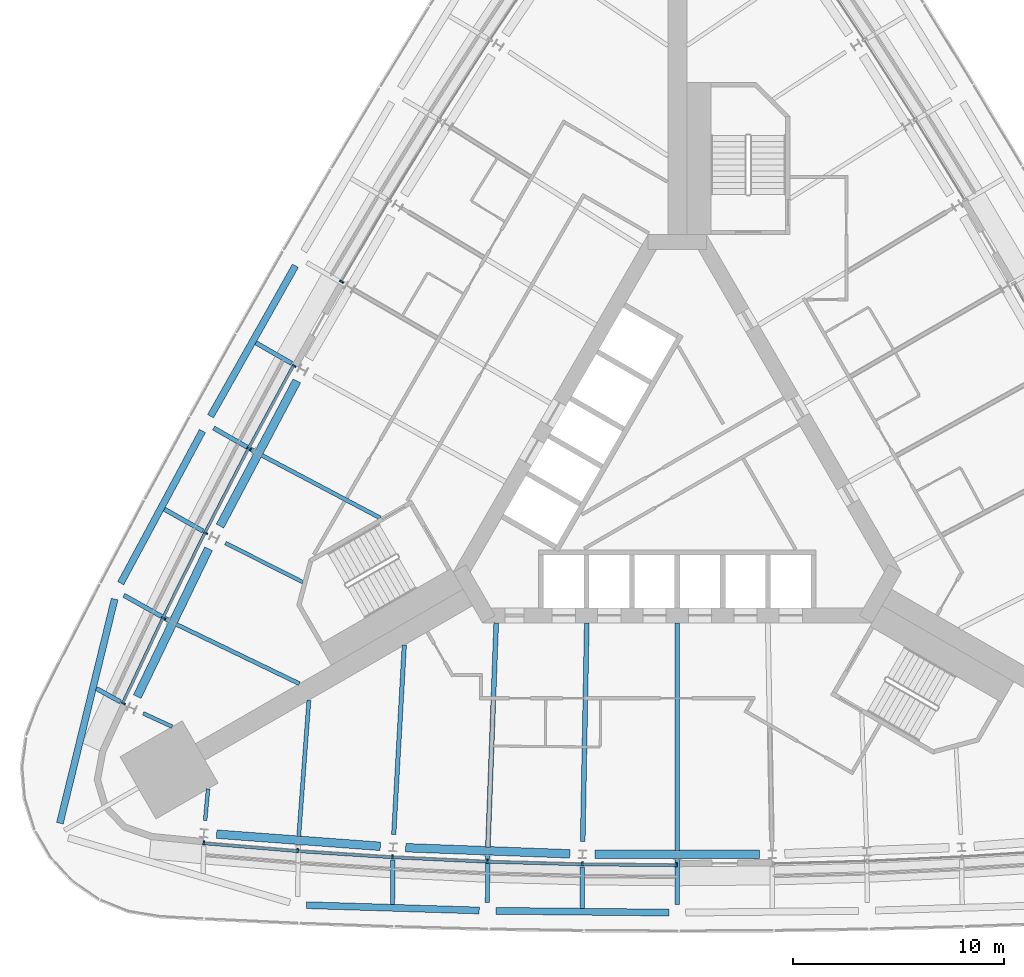
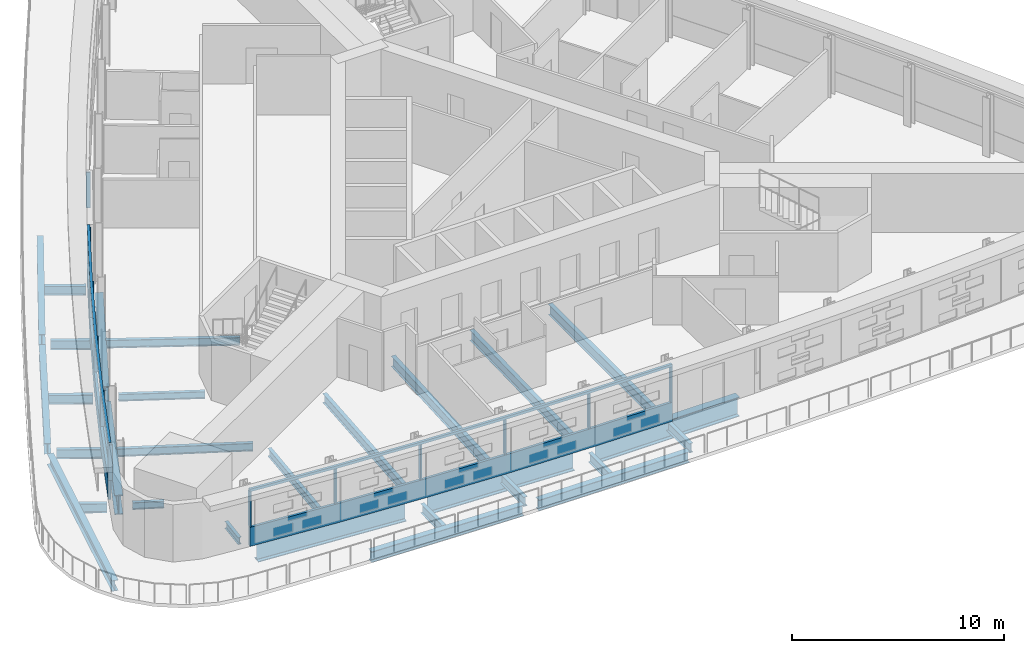
# One storey, part 2 of 14: 29 beams, 16 members, 3 elements without a shape of their own.
"""IFC4 building model written with IfcOpenShell, lengths in metres."""

from ifc_helpers import new_model, si_unit, direction, frame, origin, origin_2d, place, context, subcontext, project, spatial, polyline, rectangle, i_section, outline, extrude, material, material_profile, profile_set, type_object, element, aggregate, save


model = new_model("IFC4")

# Units and contexts
model_context = context("Model", 3, precision=1e-05, world=origin(), true_north=direction((0.0, 1.0)))
body_context = subcontext(model_context, "Body", "Model", "MODEL_VIEW")
ifc_project = project(units=[si_unit("LENGTHUNIT", "METRE"), si_unit("AREAUNIT", "SQUARE_METRE"), si_unit("VOLUMEUNIT", "CUBIC_METRE"), si_unit("PLANEANGLEUNIT", "RADIAN"), si_unit("MASSUNIT", "GRAM", prefix="KILO")], contexts=[model_context])

# Site, building, storey
site_placement = place(None, origin())
site = spatial("IfcSite", under=ifc_project, at=site_placement, CompositionType="ELEMENT")
building_placement = place(site_placement, origin())
building = spatial("IfcBuilding", under=site, at=building_placement, Name="Noor Cloister Tower", CompositionType="ELEMENT")
storey_placement = place(building_placement, frame((0.0, 0.0, 24.0)))
storey = spatial("IfcBuildingStorey", under=building, at=storey_placement, Name="L05", CompositionType="ELEMENT", Elevation=24.0)

# Curtain wall, member
ifc_material_1 = material(Name="Aluminium 6063-T6 anodised", Category="aluminium")
curtain_wall_type = type_object("IfcCurtainWallType", Name="Ribbon curtain wall, lower tower CW1", PredefinedType="NOTDEFINED", material=ifc_material_1)
curtain_wall_1_placement = place(storey_placement, origin())
curtain_wall_1 = element("IfcCurtainWall", 1, at=curtain_wall_1_placement, inside=storey, type_object=curtain_wall_type, Name="CW1 L05 NW run 2", PredefinedType="NOTDEFINED")
ifc_material_2 = material(Name="Aluminium 6063-T6 anodised", Category="aluminium")
member_type_1 = type_object("IfcMemberType", Name="Head transom CW1 150", PredefinedType="USERDEFINED", material=ifc_material_2)
member_1_placement = place(storey_placement, frame((0.0, 0.0, 3.14990234375)))
member_1 = element("IfcMember", 2, at=member_1_placement, type_object=member_type_1, Name="CW1 head transom", ObjectType="TRANSOM", PredefinedType="USERDEFINED", context=body_context, shape_type="SweptSolid", body=[
    extrude(outline(polyline([(-18.220703125, 5.32373046875), (-20.361328125, 1.36572265625), (-22.42822265625, -2.631591796875), (-24.42041015625, -6.66650390625), (-26.337646484375, -10.737548828125), (-26.2109375, -10.797119140625), (-24.29443359375, -6.727294921875), (-22.30322265625, -2.694580078125), (-20.237548828125, 1.30029296875), (-18.097412109375, 5.25732421875), (-18.220703125, 5.32373046875)])), origin(), (0.0, 0.0, 1.0), 0.150146484375),
])

curtain_wall_2_placement = place(storey_placement, origin())
curtain_wall_2 = element("IfcCurtainWall", 3, at=curtain_wall_2_placement, inside=storey, type_object=curtain_wall_type, Name="CW1 L05 S run 4", PredefinedType="NOTDEFINED")
member_2_placement = place(storey_placement, frame((0.0, 0.0, 3.14990234375)))
member_2 = element("IfcMember", 4, at=member_2_placement, type_object=member_type_1, Name="CW1 head transom", ObjectType="TRANSOM", PredefinedType="USERDEFINED", context=body_context, shape_type="SweptSolid", body=[
    extrude(outline(polyline([(-22.4677734375, -17.440185546875), (-17.9833984375, -17.8154296875), (-13.492919921875, -18.107421875), (-8.998046875, -18.316162109375), (-4.499755859375, -18.44140625), (0.0, -18.483154296875), (0.001220703125, -18.34326171875), (-4.4970703125, -18.301513671875), (-8.99267578125, -18.17626953125), (-13.4853515625, -17.9677734375), (-17.97314453125, -17.67578125), (-22.4560546875, -17.30078125), (-22.4677734375, -17.440185546875)])), origin(), (0.0, 0.0, 1.0), 0.150146484375),
])

curtain_wall_3_placement = place(storey_placement, origin())
curtain_wall_3 = element("IfcCurtainWall", 5, at=curtain_wall_3_placement, inside=storey, type_object=curtain_wall_type, Name="CW1 L05 NW run 1", PredefinedType="NOTDEFINED")
ifc_material_3 = material(Name="Aluminium 6063-T6 anodised", Category="aluminium")
ifc_material_profile_1 = material_profile(ifc_material_3, rectangle(XDim=0.199951171875, YDim=0.080078125, at=origin_2d()), Name="200 x 80 mullion")
ifc_profile_set_1 = profile_set([ifc_material_profile_1], Name="Aluminium 6063-T6 anodised")
member_type_2 = type_object("IfcMemberType", Name="Mullion CW1 80 x 200", PredefinedType="MULLION", material=ifc_profile_set_1)
member_3_placement = place(storey_placement, frame((-15.900390625, 9.225341796875, 1.10009765625), z_axis=(0.0, 0.0, 1.0), x_axis=(0.861349730456, -0.508012442607, 0.0)))
member_3 = element("IfcMember", 6, at=member_3_placement, type_object=member_type_2, Name="CW1 mullion 6", PredefinedType="MULLION", context=body_context, shape_type="SweptSolid", body=[
    extrude(rectangle(XDim=0.199951171875, YDim=0.080078125, at=origin_2d()), origin(), (0.0, 0.0, 1.0), 2.0498046875),
])
aggregate(curtain_wall_3, [member_3])

# Member
member_4_placement = place(storey_placement, frame((-18.151611328125, 5.240966796875, 1.10009765625), z_axis=(0.0, 0.0, 1.0), x_axis=(0.879603659408, -0.475707265402, 0.0)))
member_4 = element("IfcMember", 7, at=member_4_placement, type_object=member_type_2, Name="CW1 mullion 1", PredefinedType="MULLION", context=body_context, shape_type="SweptSolid", body=[
    extrude(rectangle(XDim=0.199951171875, YDim=0.080078125, at=origin_2d()), origin(), (0.0, 0.0, 1.0), 2.0498046875),
])

member_5_placement = place(storey_placement, frame((-20.27294921875, 1.31884765625, 1.10009765625), z_axis=(0.0, 0.0, 1.0), x_axis=(0.88397885809, -0.467526874574, 0.0)))
member_5 = element("IfcMember", 8, at=member_5_placement, type_object=member_type_2, Name="CW1 mullion 2", PredefinedType="MULLION", context=body_context, shape_type="SweptSolid", body=[
    extrude(rectangle(XDim=0.199951171875, YDim=0.080078125, at=origin_2d()), origin(), (0.0, 0.0, 1.0), 2.0498046875),
])

member_6_placement = place(storey_placement, frame((-22.3388671875, -2.6767578125, 1.10009765625), z_axis=(0.0, 0.0, 1.0), x_axis=(0.892500656737, -0.451046092683, 0.0)))
member_6 = element("IfcMember", 9, at=member_6_placement, type_object=member_type_2, Name="CW1 mullion 3", PredefinedType="MULLION", context=body_context, shape_type="SweptSolid", body=[
    extrude(rectangle(XDim=0.199951171875, YDim=0.080078125, at=origin_2d()), origin(), (0.0, 0.0, 1.0), 2.0498046875),
])

member_7_placement = place(storey_placement, frame((-24.330322265625, -6.709716796875, 1.10009765625), z_axis=(0.0, 0.0, 1.0), x_axis=(0.900715223435, -0.434410043937, 0.0)))
member_7 = element("IfcMember", 10, at=member_7_placement, type_object=member_type_2, Name="CW1 mullion 4", PredefinedType="MULLION", context=body_context, shape_type="SweptSolid", body=[
    extrude(rectangle(XDim=0.199951171875, YDim=0.080078125, at=origin_2d()), origin(), (0.0, 0.0, 1.0), 2.0498046875),
])

member_8_placement = place(storey_placement, frame((-26.22998046875, -10.743896484375, 1.10009765625), z_axis=(0.0, 0.0, 1.0), x_axis=(0.90470640697, -0.426035582068, 0.0)))
member_8 = element("IfcMember", 11, at=member_8_placement, type_object=member_type_2, Name="CW1 mullion 5", PredefinedType="MULLION", context=body_context, shape_type="SweptSolid", body=[
    extrude(rectangle(XDim=0.199951171875, YDim=0.080078125, at=origin_2d()), origin(), (0.0, 0.0, 1.0), 2.0498046875),
])

member_9_placement = place(storey_placement, frame((-22.41943359375, -17.343994140625, 1.10009765625), z_axis=(0.0, 0.0, 1.0), x_axis=(0.083395566498, 0.996516522436, 0.0)))
member_9 = element("IfcMember", 12, at=member_9_placement, type_object=member_type_2, Name="CW1 mullion 1", PredefinedType="MULLION", context=body_context, shape_type="SweptSolid", body=[
    extrude(rectangle(XDim=0.199951171875, YDim=0.080078125, at=origin_2d()), origin(), (0.0, 0.0, 1.0), 2.0498046875),
])

member_10_placement = place(storey_placement, frame((-17.97607421875, -17.7158203125, 1.10009765625), z_axis=(0.0, 0.0, 1.0), x_axis=(0.074147478009, 0.997247287038, 0.0)))
member_10 = element("IfcMember", 13, at=member_10_placement, type_object=member_type_2, Name="CW1 mullion 2", PredefinedType="MULLION", context=body_context, shape_type="SweptSolid", body=[
    extrude(rectangle(XDim=0.199951171875, YDim=0.080078125, at=origin_2d()), origin(), (0.0, 0.0, 1.0), 2.0498046875),
])

member_11_placement = place(storey_placement, frame((-13.487548828125, -18.007568359375, 1.10009765625), z_axis=(0.0, 0.0, 1.0), x_axis=(0.055632953827, 0.99845128797, 0.0)))
member_11 = element("IfcMember", 14, at=member_11_placement, type_object=member_type_2, Name="CW1 mullion 3", PredefinedType="MULLION", context=body_context, shape_type="SweptSolid", body=[
    extrude(rectangle(XDim=0.199951171875, YDim=0.080078125, at=origin_2d()), origin(), (0.0, 0.0, 1.0), 2.0498046875),
])

member_12_placement = place(storey_placement, frame((-8.994140625, -18.21630859375, 1.10009765625), z_axis=(0.0, 0.0, 1.0), x_axis=(0.037099278712, 0.999311584802, 0.0)))
member_12 = element("IfcMember", 15, at=member_12_placement, type_object=member_type_2, Name="CW1 mullion 4", PredefinedType="MULLION", context=body_context, shape_type="SweptSolid", body=[
    extrude(rectangle(XDim=0.199951171875, YDim=0.080078125, at=origin_2d()), origin(), (0.0, 0.0, 1.0), 2.0498046875),
])

member_13_placement = place(storey_placement, frame((-4.497802734375, -18.34130859375, 1.10009765625), z_axis=(0.0, 0.0, 1.0), x_axis=(0.018552832644, 0.999827881388, 0.0)))
member_13 = element("IfcMember", 16, at=member_13_placement, type_object=member_type_2, Name="CW1 mullion 5", PredefinedType="MULLION", context=body_context, shape_type="SweptSolid", body=[
    extrude(rectangle(XDim=0.199951171875, YDim=0.080078125, at=origin_2d()), origin(), (0.0, 0.0, 1.0), 2.0498046875),
])

member_14_placement = place(storey_placement, frame((-0.0390625, -18.3828125, 1.10009765625), z_axis=(0.0, 0.0, 1.0), x_axis=(0.009276815509, 0.999956969421, 0.0)))
member_14 = element("IfcMember", 17, at=member_14_placement, type_object=member_type_2, Name="CW1 mullion 6", PredefinedType="MULLION", context=body_context, shape_type="SweptSolid", body=[
    extrude(rectangle(XDim=0.199951171875, YDim=0.080078125, at=origin_2d()), origin(), (0.0, 0.0, 1.0), 2.0498046875),
])

# Beams
ifc_material_4 = material(Name="Steel ASTM A992 Gr 50", Category="steel")
ifc_material_profile_2 = material_profile(ifc_material_4, i_section(OverallWidth=0.324951171875, OverallDepth=0.616943359375, WebThickness=0.013916015625, FlangeThickness=0.021484375, FilletRadius=0.0126953125, at=origin_2d()), Name="W610x174")
ifc_profile_set_2 = profile_set([ifc_material_profile_2], Name="Steel ASTM A992 Gr 50")
beam_type_1 = type_object("IfcBeamType", Name="Podium perimeter beam W610x174", PredefinedType="BEAM", material=ifc_profile_set_2)
for number, where, z_axis, x_axis, name in (
    (18, (-18.086181640625, 9.980224609375, -0.508544921875), (-0.491071539523, -0.871119247331, 0.0), (0.871119247331, -0.491071539523, 0.0), "Podium perimeter beam 04 L05"),
    (19, (-22.489013671875, 2.1533203125, -0.508544921875), (-0.47307258725, -0.881023454394, 0.0), (0.881023454394, -0.47307258725, 0.0), "Podium perimeter beam 05 L05"),
):
    element("IfcBeam", number, at=place(storey_placement, frame(where, z_axis=z_axis, x_axis=x_axis)), inside=storey, type_object=beam_type_1, Name=name, PredefinedType="BEAM", context=body_context, shape_type="SweptSolid", body=[
        extrude(i_section(OverallWidth=0.324951171875, OverallDepth=0.616943359375, WebThickness=0.013916015625, FlangeThickness=0.021484375, FilletRadius=0.0126953125, at=origin_2d()), origin(), (0.0, 0.0, 1.0), 8.18017578125),
    ])
beam_1_placement = place(storey_placement, frame((-26.64599609375, -5.806396484375, -0.508544921875), z_axis=(-0.237289539542, -0.971438971024, 0.0), x_axis=(0.971438971024, -0.237289539542, 0.0)))
element("IfcBeam", 20, at=beam_1_placement, inside=storey, type_object=beam_type_1, Name="Podium perimeter beam 06 L05", PredefinedType="BEAM", context=body_context, shape_type="SweptSolid", body=[
    extrude(i_section(OverallWidth=0.324951171875, OverallDepth=0.616943359375, WebThickness=0.013916015625, FlangeThickness=0.021484375, FilletRadius=0.0126953125, at=origin_2d()), origin(), (0.0, 0.0, 1.0), 10.924560546875),
])
for number, where, z_axis, x_axis, name in (
    (21, (-17.55615234375, -20.30078125, -0.508544921875), (0.999525578868, -0.030799629673, 0.0), (0.030799629673, 0.999525578868, 0.0), "Podium perimeter beam 08 L05"),
    (22, (-8.579833984375, -20.569091796875, -0.508544921875), (0.999947297246, -0.010266583204, 0.0), (0.010266583204, 0.999947297246, 0.0), "Podium perimeter beam 09 L05"),
):
    element("IfcBeam", number, at=place(storey_placement, frame(where, z_axis=z_axis, x_axis=x_axis)), inside=storey, type_object=beam_type_1, Name=name, PredefinedType="BEAM", context=body_context, shape_type="SweptSolid", body=[
        extrude(i_section(OverallWidth=0.324951171875, OverallDepth=0.616943359375, WebThickness=0.013916015625, FlangeThickness=0.021484375, FilletRadius=0.0126953125, at=origin_2d()), origin(), (0.0, 0.0, 1.0), 8.180419921875),
    ])
ifc_material_5 = material(Name="Steel ASTM A992 Gr 50", Category="steel")
ifc_material_profile_3 = material_profile(ifc_material_5, i_section(OverallWidth=0.208984375, OverallDepth=0.532958984375, WebThickness=0.01025390625, FlangeThickness=0.015625, FilletRadius=0.0126953125, at=origin_2d()), Name="W530x92")
ifc_profile_set_3 = profile_set([ifc_material_profile_3], Name="Steel ASTM A992 Gr 50")
beam_type_2 = type_object("IfcBeamType", Name="Podium stub beam W530x92", PredefinedType="BEAM", material=ifc_profile_set_3)
beam_2_placement = place(storey_placement, frame((-18.259765625, 5.356201171875, -0.466552734375), z_axis=(-0.867389720101, 0.497629453974, 0.0), x_axis=(-0.497629453974, -0.867389720101, 0.0)))
element("IfcBeam", 23, at=beam_2_placement, inside=storey, type_object=beam_type_2, Name="Podium stub beam NW 06 L05", PredefinedType="BEAM", context=body_context, shape_type="SweptSolid", body=[
    extrude(i_section(OverallWidth=0.208984375, OverallDepth=0.532958984375, WebThickness=0.01025390625, FlangeThickness=0.015625, FilletRadius=0.0126953125, at=origin_2d()), origin(), (0.0, 0.0, 1.0), 1.95703125),
])
beam_3_placement = place(storey_placement, frame((-20.014404296875, 1.18798828125, -0.466552734375), z_axis=(-0.868967298443, 0.494869512333, 0.0), x_axis=(-0.494869512333, -0.868967298443, 0.0)))
element("IfcBeam", 24, at=beam_3_placement, inside=storey, type_object=beam_type_2, Name="Podium stub beam NW 07 L05", PredefinedType="BEAM", context=body_context, shape_type="SweptSolid", body=[
    extrude(i_section(OverallWidth=0.208984375, OverallDepth=0.532958984375, WebThickness=0.01025390625, FlangeThickness=0.015625, FilletRadius=0.0126953125, at=origin_2d()), origin(), (0.0, 0.0, 1.0), 2.23779296875),
])
beam_4_placement = place(storey_placement, frame((-22.460205078125, -2.583984375, -0.466552734375), z_axis=(-0.870610366402, 0.491973159748, 0.0), x_axis=(-0.491973159748, -0.870610366402, 0.0)))
element("IfcBeam", 25, at=beam_4_placement, inside=storey, type_object=beam_type_2, Name="Podium stub beam NW 08 L05", PredefinedType="BEAM", context=body_context, shape_type="SweptSolid", body=[
    extrude(i_section(OverallWidth=0.208984375, OverallDepth=0.532958984375, WebThickness=0.01025390625, FlangeThickness=0.015625, FilletRadius=0.0126953125, at=origin_2d()), origin(), (0.0, 0.0, 1.0), 2.1044921875),
])
beam_5_placement = place(storey_placement, frame((-24.065185546875, -6.826904296875, -0.466552734375), z_axis=(-0.872504323501, 0.488606391149, 0.0), x_axis=(-0.488606391149, -0.872504323501, 0.0)))
element("IfcBeam", 26, at=beam_5_placement, inside=storey, type_object=beam_type_2, Name="Podium stub beam NW 09 L05", PredefinedType="BEAM", context=body_context, shape_type="SweptSolid", body=[
    extrude(i_section(OverallWidth=0.208984375, OverallDepth=0.532958984375, WebThickness=0.01025390625, FlangeThickness=0.015625, FilletRadius=0.0126953125, at=origin_2d()), origin(), (0.0, 0.0, 1.0), 2.4599609375),
])
beam_6_placement = place(storey_placement, frame((-26.3642578125, -10.675537109375, -0.466552734375), z_axis=(-0.874735573686, 0.484600532531, 0.0), x_axis=(-0.484600532531, -0.874735573686, 0.0)))
element("IfcBeam", 27, at=beam_6_placement, inside=storey, type_object=beam_type_2, Name="Podium stub beam NW 10 L05", PredefinedType="BEAM", context=body_context, shape_type="SweptSolid", body=[
    extrude(i_section(OverallWidth=0.208984375, OverallDepth=0.532958984375, WebThickness=0.01025390625, FlangeThickness=0.015625, FilletRadius=0.0126953125, at=origin_2d()), origin(), (0.0, 0.0, 1.0), 1.31298828125),
])
beam_7_placement = place(storey_placement, frame((-13.468017578125, -18.158935546875, -0.466552734375), z_axis=(-0.009163285382, -0.999958016219, 0.0), x_axis=(0.999958016219, -0.009163285382, 0.0)))
element("IfcBeam", 28, at=beam_7_placement, inside=storey, type_object=beam_type_2, Name="Podium stub beam S 02 L05", PredefinedType="BEAM", context=body_context, shape_type="SweptSolid", body=[
    extrude(i_section(OverallWidth=0.208984375, OverallDepth=0.532958984375, WebThickness=0.01025390625, FlangeThickness=0.015625, FilletRadius=0.0126953125, at=origin_2d()), origin(), (0.0, 0.0, 1.0), 2.104736328125),
])
beam_8_placement = place(storey_placement, frame((-8.978515625, -17.927001953125, -0.466552734375), z_axis=(-0.005782142048, -0.999983283277, 0.0), x_axis=(0.999983283277, -0.005782142048, 0.0)))
element("IfcBeam", 29, at=beam_8_placement, inside=storey, type_object=beam_type_2, Name="Podium stub beam S 03 L05", PredefinedType="BEAM", context=body_context, shape_type="SweptSolid", body=[
    extrude(i_section(OverallWidth=0.208984375, OverallDepth=0.532958984375, WebThickness=0.01025390625, FlangeThickness=0.015625, FilletRadius=0.0126953125, at=origin_2d()), origin(), (0.0, 0.0, 1.0), 2.23779296875),
])
beam_9_placement = place(storey_placement, frame((-4.4912109375, -18.49169921875, -0.466552734375), z_axis=(-0.002869607648, -0.999995882667, 0.0), x_axis=(0.999995882667, -0.002869607648, 0.0)))
element("IfcBeam", 30, at=beam_9_placement, inside=storey, type_object=beam_type_2, Name="Podium stub beam S 04 L05", PredefinedType="BEAM", context=body_context, shape_type="SweptSolid", body=[
    extrude(i_section(OverallWidth=0.208984375, OverallDepth=0.532958984375, WebThickness=0.01025390625, FlangeThickness=0.015625, FilletRadius=0.0126953125, at=origin_2d()), origin(), (0.0, 0.0, 1.0), 1.956787109375),
])
beam_10_placement = place(storey_placement, frame((0.0, -18.093505859375, -0.466552734375), z_axis=(0.0, -1.0, 0.0), x_axis=(1.0, 0.0, 0.0)))
element("IfcBeam", 31, at=beam_10_placement, inside=storey, type_object=beam_type_2, Name="Podium stub beam S 05 L05", PredefinedType="BEAM", context=body_context, shape_type="SweptSolid", body=[
    extrude(i_section(OverallWidth=0.208984375, OverallDepth=0.532958984375, WebThickness=0.01025390625, FlangeThickness=0.015625, FilletRadius=0.0126953125, at=origin_2d()), origin(), (0.0, 0.0, 1.0), 2.163818359375),
])
ifc_material_6 = material(Name="Steel ASTM A992 Gr 50", Category="steel")
ifc_material_profile_4 = material_profile(ifc_material_6, i_section(OverallWidth=0.177978515625, OverallDepth=0.406005859375, WebThickness=0.0078125, FlangeThickness=0.0126953125, FilletRadius=0.01025390625, at=origin_2d()), Name="W410x60")
ifc_profile_set_4 = profile_set([ifc_material_profile_4], Name="Steel ASTM A992 Gr 50")
beam_type_3 = type_object("IfcBeamType", Name="Radial beam W410x60", PredefinedType="BEAM", material=ifc_profile_set_4)
beam_11_placement = place(storey_placement, frame((-21.401611328125, -3.150146484375, -0.403076171875), z_axis=(0.892482631296, -0.451081758481, 0.0), x_axis=(0.451081758481, 0.892482631296, 0.0)))
element("IfcBeam", 32, at=beam_11_placement, inside=storey, type_object=beam_type_3, Name="Radial beam NW 09 L05", PredefinedType="BEAM", context=body_context, shape_type="SweptSolid", body=[
    extrude(i_section(OverallWidth=0.177978515625, OverallDepth=0.406005859375, WebThickness=0.0078125, FlangeThickness=0.0126953125, FilletRadius=0.01025390625, at=origin_2d()), origin(), (0.0, 0.0, 1.0), 4.110595703125),
])
for number, where, z_axis, x_axis, name in (
    (33, (-25.292724609375, -11.2177734375, -0.403076171875), (0.908602193803, -0.417662607157, 0.0), (0.417662607157, 0.908602193803, 0.0), "Radial beam NW 11 L05"),
    (34, (-22.361328125, -16.295166015625, -0.403076171875), (0.09269423525, 0.995694621233, 0.0), (-0.995694621233, 0.09269423525, 0.0), "Radial beam S 01 L05"),
):
    element("IfcBeam", number, at=place(storey_placement, frame(where, z_axis=z_axis, x_axis=x_axis)), inside=storey, type_object=beam_type_3, Name=name, PredefinedType="BEAM", context=body_context, shape_type="SweptSolid", body=[
        extrude(i_section(OverallWidth=0.177978515625, OverallDepth=0.406005859375, WebThickness=0.0078125, FlangeThickness=0.0126953125, FilletRadius=0.01025390625, at=origin_2d()), origin(), (0.0, 0.0, 1.0), 1.50927734375),
    ])
ifc_material_7 = material(Name="Steel ASTM A992 Gr 50", Category="steel")
ifc_material_profile_5 = material_profile(ifc_material_7, i_section(OverallWidth=0.19091796875, OverallDepth=0.45703125, WebThickness=0.009033203125, FlangeThickness=0.014404296875, FilletRadius=0.01025390625, at=origin_2d()), Name="W460x74")
ifc_profile_set_5 = profile_set([ifc_material_profile_5], Name="Steel ASTM A992 Gr 50")
beam_type_4 = type_object("IfcBeamType", Name="Radial beam W460x74", PredefinedType="BEAM", material=ifc_profile_set_5)
beam_12_placement = place(storey_placement, frame((-19.696533203125, 1.01416015625, -0.428466796875), z_axis=(0.883976296131, -0.46753171858, 0.0), x_axis=(0.46753171858, 0.883976296131, 0.0)))
element("IfcBeam", 35, at=beam_12_placement, inside=storey, type_object=beam_type_4, Name="Radial beam NW 08 L05", PredefinedType="BEAM", context=body_context, shape_type="SweptSolid", body=[
    extrude(i_section(OverallWidth=0.19091796875, OverallDepth=0.45703125, WebThickness=0.009033203125, FlangeThickness=0.014404296875, FilletRadius=0.01025390625, at=origin_2d()), origin(), (0.0, 0.0, 1.0), 6.365478515625),
])
for number, where, z_axis, x_axis, name in (
    (36, (-23.7431640625, -6.9931640625, -0.428466796875), (0.900715074777, -0.434410352166, 0.0), (0.434410352166, 0.900715074777, 0.0), "Radial beam NW 10 L05"),
    (37, (-17.927734375, -17.065673828125, -0.428466796875), (0.074130750663, 0.997248530611, 0.0), (-0.997248530611, 0.074130750663, 0.0), "Radial beam S 02 L05"),
):
    element("IfcBeam", number, at=place(storey_placement, frame(where, z_axis=z_axis, x_axis=x_axis)), inside=storey, type_object=beam_type_4, Name=name, PredefinedType="BEAM", context=body_context, shape_type="SweptSolid", body=[
        extrude(i_section(OverallWidth=0.19091796875, OverallDepth=0.45703125, WebThickness=0.009033203125, FlangeThickness=0.014404296875, FilletRadius=0.01025390625, at=origin_2d()), origin(), (0.0, 0.0, 1.0), 6.4912109375),
    ])
ifc_material_8 = material(Name="Steel ASTM A992 Gr 50", Category="steel")
ifc_material_profile_6 = material_profile(ifc_material_8, i_section(OverallWidth=0.208984375, OverallDepth=0.532958984375, WebThickness=0.01025390625, FlangeThickness=0.015625, FilletRadius=0.0126953125, at=origin_2d()), Name="W530x92")
ifc_profile_set_6 = profile_set([ifc_material_profile_6], Name="Steel ASTM A992 Gr 50")
beam_type_5 = type_object("IfcBeamType", Name="Radial beam W530x92", PredefinedType="BEAM", material=ifc_profile_set_6)
beam_13_placement = place(storey_placement, frame((-13.428955078125, -16.959228515625, -0.466552734375), z_axis=(0.055623451445, 0.99845181739, 0.0), x_axis=(-0.99845181739, 0.055623451445, 0.0)))
element("IfcBeam", 38, at=beam_13_placement, inside=storey, type_object=beam_type_5, Name="Radial beam S 03 L05", PredefinedType="BEAM", context=body_context, shape_type="SweptSolid", body=[
    extrude(i_section(OverallWidth=0.208984375, OverallDepth=0.532958984375, WebThickness=0.01025390625, FlangeThickness=0.015625, FilletRadius=0.0126953125, at=origin_2d()), origin(), (0.0, 0.0, 1.0), 8.989013671875),
])
ifc_material_9 = material(Name="Steel ASTM A992 Gr 50", Category="steel")
ifc_material_profile_7 = material_profile(ifc_material_9, i_section(OverallWidth=0.22802734375, OverallDepth=0.60205078125, WebThickness=0.010498046875, FlangeThickness=0.014892578125, FilletRadius=0.0126953125, at=origin_2d()), Name="W610x101")
ifc_profile_set_7 = profile_set([ifc_material_profile_7], Name="Steel ASTM A992 Gr 50")
beam_type_6 = type_object("IfcBeamType", Name="Radial beam W610x101", PredefinedType="BEAM", material=ifc_profile_set_7)
beam_14_placement = place(storey_placement, frame((-8.969970703125, -17.564697265625, -0.5009765625), z_axis=(0.037089710261, 0.999311939983, 0.0), x_axis=(-0.999311939983, 0.037089710261, 0.0)))
element("IfcBeam", 39, at=beam_14_placement, inside=storey, type_object=beam_type_6, Name="Radial beam S 04 L05", PredefinedType="BEAM", context=body_context, shape_type="SweptSolid", body=[
    extrude(i_section(OverallWidth=0.22802734375, OverallDepth=0.60205078125, WebThickness=0.010498046875, FlangeThickness=0.014892578125, FilletRadius=0.0126953125, at=origin_2d()), origin(), (0.0, 0.0, 1.0), 10.643798828125),
])
beam_15_placement = place(storey_placement, frame((-4.478515625, -17.29150390625, -0.5009765625), z_axis=(0.018560692037, 0.999827735518, 0.0), x_axis=(-0.999827735518, 0.018560692037, 0.0)))
element("IfcBeam", 40, at=beam_15_placement, inside=storey, type_object=beam_type_6, Name="Radial beam S 05 L05", PredefinedType="BEAM", context=body_context, shape_type="SweptSolid", body=[
    extrude(i_section(OverallWidth=0.22802734375, OverallDepth=0.60205078125, WebThickness=0.010498046875, FlangeThickness=0.014892578125, FilletRadius=0.0126953125, at=origin_2d()), origin(), (0.0, 0.0, 1.0), 10.364990234375),
])
ifc_material_10 = material(Name="Steel ASTM A992 Gr 50", Category="steel")
ifc_material_profile_8 = material_profile(ifc_material_10, i_section(OverallWidth=0.22900390625, OverallDepth=0.612060546875, WebThickness=0.011962890625, FlangeThickness=0.01953125, FilletRadius=0.0126953125, at=origin_2d()), Name="W610x125")
ifc_profile_set_8 = profile_set([ifc_material_profile_8], Name="Steel ASTM A992 Gr 50")
beam_type_7 = type_object("IfcBeamType", Name="Radial beam W610x125", PredefinedType="BEAM", material=ifc_profile_set_8)
beam_16_placement = place(storey_placement, frame((0.0, -17.731201171875, -0.506103515625), z_axis=(0.0, 1.0, 0.0), x_axis=(-1.0, 0.0, 0.0)))
element("IfcBeam", 41, at=beam_16_placement, inside=storey, type_object=beam_type_7, Name="Radial beam S 06 L05", PredefinedType="BEAM", context=body_context, shape_type="SweptSolid", body=[
    extrude(i_section(OverallWidth=0.22900390625, OverallDepth=0.612060546875, WebThickness=0.011962890625, FlangeThickness=0.01953125, FilletRadius=0.0126953125, at=origin_2d()), origin(), (0.0, 0.0, 1.0), 10.802978515625),
])

# Member
ifc_material_11 = material(Name="Aluminium 6063-T6 anodised", Category="aluminium")
member_type_3 = type_object("IfcMemberType", Name="Sill transom CW1 1100", PredefinedType="USERDEFINED", material=ifc_material_11)
member_15_placement = place(storey_placement, origin())
member_15 = element("IfcMember", 42, at=member_15_placement, type_object=member_type_3, Name="CW1 sill transom", ObjectType="TRANSOM", PredefinedType="USERDEFINED", context=body_context, shape_type="SweptSolid", body=[
    extrude(outline(polyline([(-18.220703125, 5.32373046875), (-20.361328125, 1.36572265625), (-22.42822265625, -2.631591796875), (-24.42041015625, -6.66650390625), (-26.337646484375, -10.737548828125), (-26.2109375, -10.797119140625), (-24.29443359375, -6.727294921875), (-22.30322265625, -2.694580078125), (-20.237548828125, 1.30029296875), (-18.097412109375, 5.25732421875), (-18.220703125, 5.32373046875)])), origin(), (0.0, 0.0, 1.0), 1.10009765625),
])

aggregate(curtain_wall_1, [member_4, member_5, member_6, member_7, member_8, member_15, member_1])

member_16_placement = place(storey_placement, origin())
member_16 = element("IfcMember", 43, at=member_16_placement, type_object=member_type_3, Name="CW1 sill transom", ObjectType="TRANSOM", PredefinedType="USERDEFINED", context=body_context, shape_type="SweptSolid", body=[
    extrude(outline(polyline([(-22.4677734375, -17.440185546875), (-17.9833984375, -17.8154296875), (-13.492919921875, -18.107421875), (-8.998046875, -18.316162109375), (-4.499755859375, -18.44140625), (0.0, -18.483154296875), (0.001220703125, -18.34326171875), (-4.4970703125, -18.301513671875), (-8.99267578125, -18.17626953125), (-13.4853515625, -17.9677734375), (-17.97314453125, -17.67578125), (-22.4560546875, -17.30078125), (-22.4677734375, -17.440185546875)])), origin(), (0.0, 0.0, 1.0), 1.10009765625),
])

aggregate(curtain_wall_2, [member_9, member_10, member_11, member_12, member_13, member_14, member_16, member_2])

# Beams
ifc_material_12 = material(Name="Steel ASTM A992 Gr 50", Category="steel")
ifc_material_profile_9 = material_profile(ifc_material_12, i_section(OverallWidth=0.404052734375, OverallDepth=1.1201171875, WebThickness=0.026123046875, FlangeThickness=0.044921875, FilletRadius=0.02001953125, at=origin_2d()), Name="W1100x499")
ifc_profile_set_9 = profile_set([ifc_material_profile_9], Name="Steel ASTM A992 Gr 50")
beam_type_8 = type_object("IfcBeamType", Name="Transfer girder W1100x499", PredefinedType="BEAM", material=ifc_profile_set_9)
for number, where, z_axis, x_axis, name in (
    (44, (-18.019775390625, 4.527099609375, -0.760009765625), (-0.467547366886, -0.883968019624, 0.0), (0.883968019624, -0.467547366886, 0.0), "Transfer girder 04"),
    (45, (-22.197998046875, -3.420166015625, -0.760009765625), (-0.434400589533, -0.900719783181, 0.0), (0.900719783181, -0.434400589533, 0.0), "Transfer girder 05"),
):
    element("IfcBeam", number, at=place(storey_placement, frame(where, z_axis=z_axis, x_axis=x_axis)), inside=storey, type_object=beam_type_8, Name=name, PredefinedType="BEAM", context=body_context, shape_type="SweptSolid", body=[
        extrude(i_section(OverallWidth=0.404052734375, OverallDepth=1.1201171875, WebThickness=0.026123046875, FlangeThickness=0.044921875, FilletRadius=0.02001953125, at=origin_2d()), origin(), (0.0, 0.0, 1.0), 7.77880859375),
    ])
for number, where, z_axis, x_axis, name in (
    (46, (-21.818359375, -16.93701171875, -0.760009765625), (0.997246218275, -0.074161850945, 0.0), (0.074161850945, 0.997246218275, 0.0), "Transfer girder 06"),
    (47, (-12.86279296875, -17.58056640625, -0.760009765625), (0.999311691731, -0.037096398343, 0.0), (0.037096398343, 0.999311691731, 0.0), "Transfer girder 07"),
):
    element("IfcBeam", number, at=place(storey_placement, frame(where, z_axis=z_axis, x_axis=x_axis)), inside=storey, type_object=beam_type_8, Name=name, PredefinedType="BEAM", context=body_context, shape_type="SweptSolid", body=[
        extrude(i_section(OverallWidth=0.404052734375, OverallDepth=1.1201171875, WebThickness=0.026123046875, FlangeThickness=0.044921875, FilletRadius=0.02001953125, at=origin_2d()), origin(), (0.0, 0.0, 1.0), 7.779052734375),
    ])
beam_17_placement = place(storey_placement, frame((-3.889404296875, -17.8916015625, -0.760009765625), z_axis=(1.0, 0.0, 0.0), x_axis=(0.0, 1.0, 0.0)))
element("IfcBeam", 48, at=beam_17_placement, inside=storey, type_object=beam_type_8, Name="Transfer girder 08", PredefinedType="BEAM", context=body_context, shape_type="SweptSolid", body=[
    extrude(i_section(OverallWidth=0.404052734375, OverallDepth=1.1201171875, WebThickness=0.026123046875, FlangeThickness=0.044921875, FilletRadius=0.02001953125, at=origin_2d()), origin(), (0.0, 0.0, 1.0), 7.77880859375),
])

save(model, "model.ifc")
